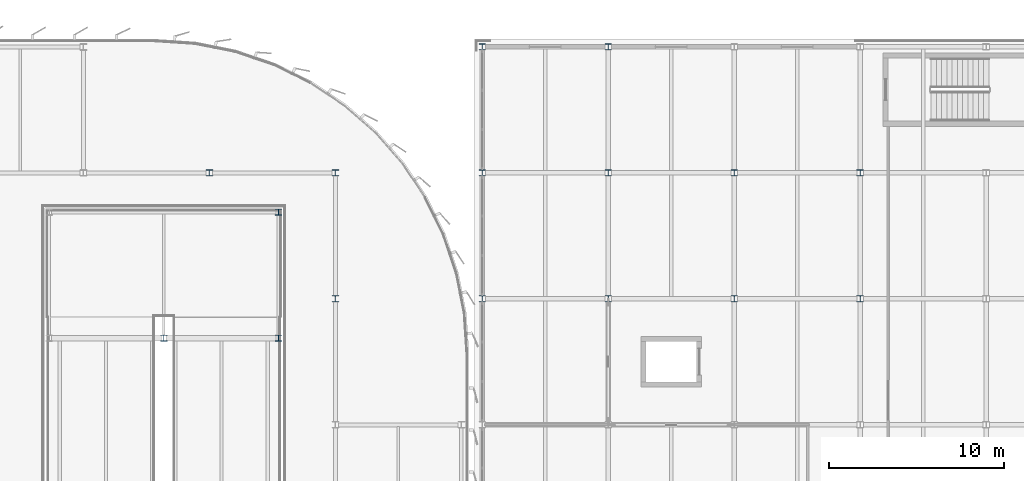
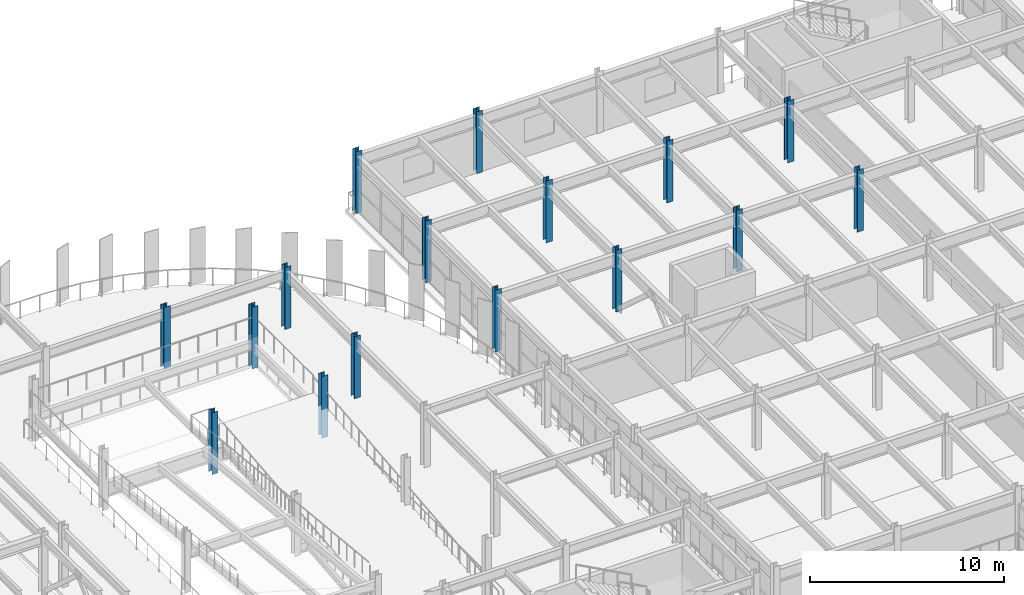
# One storey, part 14 of 80: 16 columns.
"""IFC4 building model written with IfcOpenShell, lengths in metres."""

import ifcopenshell
import ifcopenshell.guid

model = None  # the IFC model being written
_history = None  # IfcOwnerHistory: only IFC2X3 demands one
_inside = {}  # id of a spatial element -> (the spatial element, [elements in it])
_under = {}  # id of a project, library or spatial element -> (it, [spatial elements below it])
_declared = {}  # id of a project -> (the project, [libraries it declares])
_typed = {}  # id of a type object -> (the type object, [elements of that type])
_made_of = {}  # id of a material, layer set ... -> (it, [elements and type objects made of it])


def new_model(schema):
    """Start an empty IFC model of exactly this schema.

    Asked for "IFC4X3", IfcOpenShell would pick the latest addendum, in which some entities
    have other attributes; the version numbers below select the first issue.
    IFC2X3 requires an IfcOwnerHistory on every rooted entity: one is made here for all.
    """
    global model, _history
    if schema == "IFC4X3":
        model = ifcopenshell.file(schema_version=(4, 3, 0, 0))
    else:
        model = ifcopenshell.file(schema=schema)
    _inside.clear()
    _under.clear()
    _declared.clear()
    _typed.clear()
    _made_of.clear()
    _history = None
    if model.schema == "IFC2X3":
        org = make("IfcOrganization", Name="unknown")
        user = make(
            "IfcPersonAndOrganization",
            ThePerson=make("IfcPerson", FamilyName="unknown"),
            TheOrganization=org,
        )
        app = make(
            "IfcApplication",
            ApplicationDeveloper=org,
            Version="unknown",
            ApplicationFullName="unknown",
            ApplicationIdentifier="unknown",
        )
        _history = make(
            "IfcOwnerHistory",
            OwningUser=user,
            OwningApplication=app,
            ChangeAction="ADDED",
            CreationDate=0,
        )
    return model


def make(cls, **values):
    """One entity of the class cls with the attributes given. An attribute that is None is left unset."""
    return model.create_entity(
        cls, **{name: value for name, value in values.items() if value is not None}
    )


def rooted(cls, **values):
    """An entity with a GlobalId (a new one), such as an element, a storey or a relation."""
    return make(cls, GlobalId=ifcopenshell.guid.new(), OwnerHistory=_history, **values)


def si_unit(unit_type, name, prefix=None):
    """IfcSIUnit, for example si_unit("LENGTHUNIT", "METRE", prefix="MILLI")."""
    return make("IfcSIUnit", UnitType=unit_type, Prefix=prefix, Name=name)


def assignment(units):
    """IfcUnitAssignment: the units of a project."""
    return None if units is None else make("IfcUnitAssignment", Units=units)


def point(xyz):
    """IfcCartesianPoint."""
    return None if xyz is None else make("IfcCartesianPoint", Coordinates=xyz)


def direction(xyz):
    """IfcDirection."""
    return None if xyz is None else make("IfcDirection", DirectionRatios=xyz)


def frame(location, z_axis=None, x_axis=None):
    """IfcAxis2Placement3D, a coordinate frame: its origin and axes. An axis left out is left unset."""
    return make(
        "IfcAxis2Placement3D",
        Location=point(location),
        Axis=direction(z_axis),
        RefDirection=direction(x_axis),
    )


def frame_2d(location, x_axis=None):
    """IfcAxis2Placement2D, a coordinate frame in the plane: its origin and x axis."""
    return make(
        "IfcAxis2Placement2D", Location=point(location), RefDirection=direction(x_axis)
    )


def origin():
    """The frame at (0, 0, 0) with its axes left unset."""
    return frame((0.0, 0.0, 0.0))


def origin_2d():
    """The frame at (0, 0) in the plane with its x axis left unset."""
    return frame_2d((0.0, 0.0))


def place(relative_to, where):
    """IfcLocalPlacement: puts the frame where relative to a parent placement (None: the world)."""
    return make(
        "IfcLocalPlacement", PlacementRelTo=relative_to, RelativePlacement=where
    )


def context(
    kind, dimensions, precision=None, world=None, true_north=None, identifier=None
):
    """IfcGeometricRepresentationContext, for example the 3D "Model" context."""
    return make(
        "IfcGeometricRepresentationContext",
        ContextIdentifier=identifier,
        ContextType=kind,
        CoordinateSpaceDimension=dimensions,
        Precision=precision,
        WorldCoordinateSystem=world,
        TrueNorth=true_north,
    )


def subcontext(parent, identifier, kind, view, scale=None):
    """IfcGeometricRepresentationSubContext, for example "Body" below "Model"."""
    return make(
        "IfcGeometricRepresentationSubContext",
        ContextIdentifier=identifier,
        ContextType=kind,
        ParentContext=parent,
        TargetScale=scale,
        TargetView=view,
    )


def project(units=None, contexts=None):
    """IfcProject with its units and contexts."""
    return rooted(
        "IfcProject",
        Name="project",
        RepresentationContexts=contexts,
        UnitsInContext=assignment(units),
    )


def spatial(cls, under=None, at=None, **own):
    """A site, building, storey or space (cls), placed at a placement, below another one or the project."""
    s = rooted(cls, ObjectPlacement=at, **own)
    if under is not None:
        _under.setdefault(under.id(), (under, []))[1].append(s)
    return s


def profile(cls, at=None, kind="AREA", **sizes):
    """A parametric profile (cls). Its sizes go by their IFC names, for example OverallWidth=200.0."""
    return make(cls, ProfileType=kind, Position=at, **sizes)


def i_section(**sizes):
    """IfcIShapeProfileDef."""
    return profile("IfcIShapeProfileDef", **sizes)


def extrude(swept, where, along, depth):
    """IfcExtrudedAreaSolid: the profile swept, set in the frame where, extruded along a direction by depth."""
    return make(
        "IfcExtrudedAreaSolid",
        SweptArea=swept,
        Position=where,
        ExtrudedDirection=direction(along),
        Depth=depth,
    )


def shape(context_of_items, identifier, shape_type, items):
    """IfcShapeRepresentation: the items that make up one representation, for example the "Body"."""
    return make(
        "IfcShapeRepresentation",
        ContextOfItems=context_of_items,
        RepresentationIdentifier=identifier,
        RepresentationType=shape_type,
        Items=items,
    )


def material(Name=None, Category=None):
    """IfcMaterial."""
    return make("IfcMaterial", Name=Name, Category=Category)


def material_profile(
    of_material, cross_section, Name=None, Category=None, Priority=None
):
    """IfcMaterialProfile: a cross section and its material."""
    return make(
        "IfcMaterialProfile",
        Name=Name,
        Material=of_material,
        Profile=cross_section,
        Priority=Priority,
        Category=Category,
    )


def profile_set(profiles, Name=None, composite=None):
    """IfcMaterialProfileSet."""
    return make(
        "IfcMaterialProfileSet",
        Name=Name,
        MaterialProfiles=profiles,
        CompositeProfile=composite,
    )


def made_of(thing, what):
    """Note that an element or type object is made of a material, layer set ...; save() writes the relation."""
    if what is not None:
        _made_of.setdefault(what.id(), (what, []))[1].append(thing)
    return thing


def type_object(cls, material=None, **own):
    """A type object (cls), such as IfcWallType, which elements share."""
    return made_of(rooted(cls, **own), material)


def element(
    cls,
    number,
    at=None,
    inside=None,
    cuts=None,
    type_object=None,
    material=None,
    context=None,
    identifier="Body",
    shape_type=None,
    held_by="IfcProductDefinitionShape",
    body=None,
    shapes=None,
    **own,
):
    """One element of the class cls, such as IfcWall. Its Tag is "e" and its number.

    at: its placement. inside: the storey or other place that contains it. cuts: it is an
    opening in that element (IfcRelVoidsElement). A single representation is given by context,
    identifier, shape_type and body (its items); several are given by shapes. held_by: the class
    of the entity that holds the representations. save() writes the other relations.
    """
    e = rooted(cls, Tag="e%d" % number, ObjectPlacement=at, **own)
    if body is not None:
        shapes = [shape(context, identifier, shape_type, body)]
    if shapes is not None:
        e.Representation = make(held_by, Representations=shapes)
    if inside is not None:
        _inside.setdefault(inside.id(), (inside, []))[1].append(e)
    if cuts is not None:
        rooted(
            "IfcRelVoidsElement", RelatingBuildingElement=cuts, RelatedOpeningElement=e
        )
    if type_object is not None:
        _typed.setdefault(type_object.id(), (type_object, []))[1].append(e)
    return made_of(e, material)


def aggregate(whole, parts):
    """IfcRelAggregates: a whole, such as a stair, and the parts it consists of."""
    return rooted("IfcRelAggregates", RelatingObject=whole, RelatedObjects=parts)


def save(model, path):
    """Write the relations noted so far, then the file.

    IfcRelAggregates (storeys below a building ...), IfcRelContainedInSpatialStructure (elements
    in a storey), IfcRelDefinesByType, IfcRelAssociatesMaterial and IfcRelDeclares: one each for
    every whole, place, type object, material and project.
    """
    for whole, parts in _under.values():
        aggregate(whole, parts)
    for where, things in _inside.values():
        rooted(
            "IfcRelContainedInSpatialStructure",
            RelatedElements=things,
            RelatingStructure=where,
        )
    for kind, things in _typed.values():
        rooted("IfcRelDefinesByType", RelatedObjects=things, RelatingType=kind)
    for what, things in _made_of.values():
        rooted("IfcRelAssociatesMaterial", RelatedObjects=things, RelatingMaterial=what)
    for by, libraries in _declared.values():
        rooted("IfcRelDeclares", RelatingContext=by, RelatedDefinitions=libraries)
    model.write(path)


model = new_model("IFC4")

# Units and contexts
model_context = context("Model", 3, precision=1e-05, world=origin(), true_north=direction((0.0, 1.0)))
body_context = subcontext(model_context, "Body", "Model", "MODEL_VIEW")
ifc_project = project(units=[si_unit("LENGTHUNIT", "METRE"), si_unit("AREAUNIT", "SQUARE_METRE"), si_unit("VOLUMEUNIT", "CUBIC_METRE"), si_unit("PLANEANGLEUNIT", "RADIAN"), si_unit("MASSUNIT", "GRAM", prefix="KILO")], contexts=[model_context])

# Site, building, storey
site_placement = place(None, origin())
site = spatial("IfcSite", under=ifc_project, at=site_placement, CompositionType="ELEMENT")
building_placement = place(site_placement, origin())
building = spatial("IfcBuilding", under=site, at=building_placement, Name="Vaelcorin Mobility Hub", CompositionType="ELEMENT")
storey_placement = place(building_placement, frame((0.0, 0.0, 9.300048828125)))
storey = spatial("IfcBuildingStorey", under=building, at=storey_placement, Name="L02", CompositionType="ELEMENT", Elevation=9.300048828125)

# Columns
ifc_material = material(Name="Steel ASTM A992 Grade 50", Category="steel")
ifc_material_profile_1 = material_profile(ifc_material, i_section(OverallWidth=0.37109375, OverallDepth=0.363037109375, WebThickness=0.01318359375, FlangeThickness=0.021728515625, FilletRadius=0.014892578125, at=origin_2d()), Name="W14X109")
ifc_profile_set_1 = profile_set([ifc_material_profile_1], Name="Steel ASTM A992 Grade 50")
column_type_1 = type_object("IfcColumnType", Name="COL-W14X109", PredefinedType="COLUMN", material=ifc_profile_set_1)
for number, where, z_axis, x_axis, name in (
    (1, (138.0, 112.800048828125, 0.0), (0.0, 0.0, 1.0), (1.0, 0.0, 0.0), "Column V2E-G3x6 L02"),
    (2, (145.199951171875, 105.60009765625, 0.0), (0.0, 0.0, 1.0), (1.0, 0.0, 0.0), "Column V2E-G4x5 L02"),
    (3, (145.199951171875, 112.800048828125, 0.0), (0.0, 0.0, 1.0), (1.0, 0.0, 0.0), "Column V2E-G4x6 L02"),
):
    element("IfcColumn", number, at=place(storey_placement, frame(where, z_axis=z_axis, x_axis=x_axis)), inside=storey, type_object=column_type_1, Name=name, PredefinedType="COLUMN", context=body_context, shape_type="SweptSolid", body=[
        extrude(i_section(OverallWidth=0.37109375, OverallDepth=0.363037109375, WebThickness=0.01318359375, FlangeThickness=0.021728515625, FilletRadius=0.014892578125, at=origin_2d()), origin(), (0.0, 0.0, 1.0), 3.89990234375),
    ])
ifc_material_profile_2 = material_profile(ifc_material, i_section(OverallWidth=0.367919921875, OverallDepth=0.35595703125, WebThickness=0.01123046875, FlangeThickness=0.01806640625, FilletRadius=0.014892578125, at=origin_2d()), Name="W14X90")
ifc_profile_set_2 = profile_set([ifc_material_profile_2], Name="Steel ASTM A992 Grade 50")
column_type_2 = type_object("IfcColumnType", Name="COL-W14X90", PredefinedType="COLUMN", material=ifc_profile_set_2)
for number, where, z_axis, x_axis, name in (
    (4, (135.39990234375, 103.35009765625, 0.0), (0.0, 0.0, 1.0), (1.0, 0.0, 0.0), "Column V2E-RDRM-MN L02"),
    (5, (141.949951171875, 103.35009765625, 0.0), (0.0, 0.0, 1.0), (1.0, 0.0, 0.0), "Column V2E-RDRM-EN L02"),
    (6, (141.949951171875, 110.550048828125, 0.0), (0.0, 0.0, 1.0), (1.0, 0.0, 0.0), "Column V2E-RDRM-EB L02"),
    (7, (153.60009765625, 105.60009765625, 0.0), (0.0, 0.0, 1.0), (1.0, 0.0, 0.0), "Column V5-X01Y13 L02"),
    (8, (153.60009765625, 112.800048828125, 0.0), (0.0, 0.0, 1.0), (1.0, 0.0, 0.0), "Column V5-X01Y14 L02"),
    (9, (153.60009765625, 120.0, 0.0), (0.0, 0.0, 1.0), (1.0, 0.0, 0.0), "Column V5-X01Y15 L02"),
    (10, (160.800048828125, 105.60009765625, 0.0), (0.0, 0.0, 1.0), (1.0, 0.0, 0.0), "Column V5-X02Y13 L02"),
    (11, (160.800048828125, 112.800048828125, 0.0), (0.0, 0.0, 1.0), (1.0, 0.0, 0.0), "Column V5-X02Y14 L02"),
    (12, (160.800048828125, 120.0, 0.0), (0.0, 0.0, 1.0), (1.0, 0.0, 0.0), "Column V5-X02Y15 L02"),
    (13, (168.0, 105.60009765625, 0.0), (0.0, 0.0, 1.0), (1.0, 0.0, 0.0), "Column V5-X03Y13 L02"),
    (14, (168.0, 112.800048828125, 0.0), (0.0, 0.0, 1.0), (1.0, 0.0, 0.0), "Column V5-X03Y14 L02"),
    (15, (175.199951171875, 105.60009765625, 0.0), (0.0, 0.0, 1.0), (1.0, 0.0, 0.0), "Column V5-X04Y13 L02"),
    (16, (175.199951171875, 112.800048828125, 0.0), (0.0, 0.0, 1.0), (1.0, 0.0, 0.0), "Column V5-X04Y14 L02"),
):
    element("IfcColumn", number, at=place(storey_placement, frame(where, z_axis=z_axis, x_axis=x_axis)), inside=storey, type_object=column_type_2, Name=name, PredefinedType="COLUMN", context=body_context, shape_type="SweptSolid", body=[
        extrude(i_section(OverallWidth=0.367919921875, OverallDepth=0.35595703125, WebThickness=0.01123046875, FlangeThickness=0.01806640625, FilletRadius=0.014892578125, at=origin_2d()), origin(), (0.0, 0.0, 1.0), 3.89990234375),
    ])

save(model, "model.ifc")
